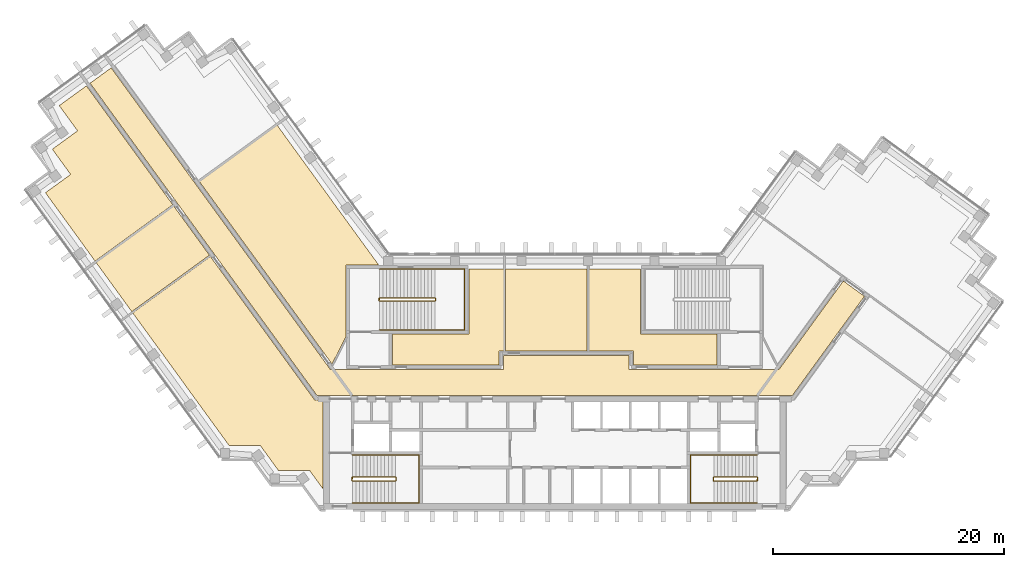
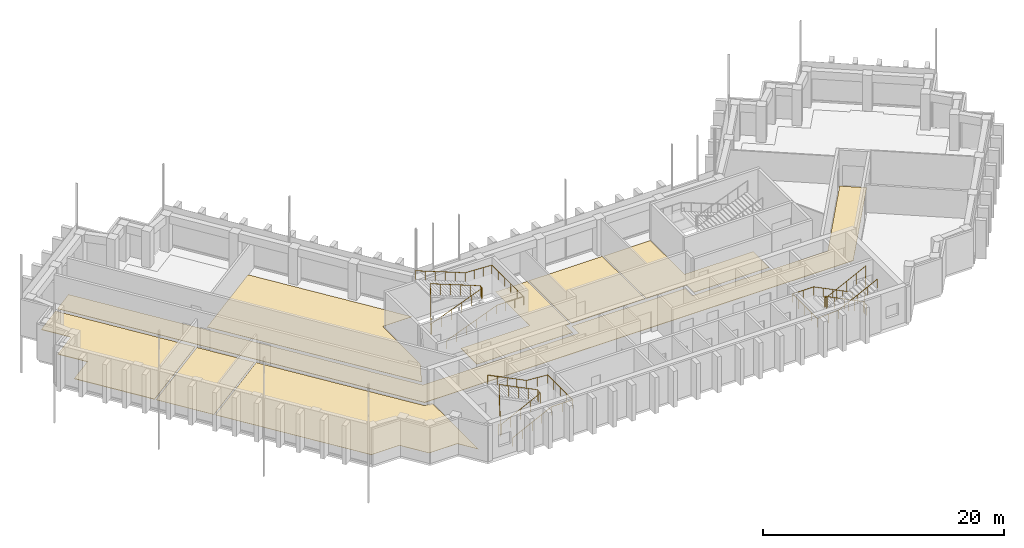
# One storey, part 11 of 12: 8 coverings, 6 railings.
"""IFC4 building model written with IfcOpenShell, lengths in metres."""

from ifc_helpers import new_model, si_unit, direction, frame, origin, origin_2d, place, context, subcontext, project, spatial, polyline, circle, outline, extrude, material, layer, layer_set, type_object, element, save


model = new_model("IFC4")

# Units and contexts
model_context = context("Model", 3, precision=1e-05, world=origin(), true_north=direction((0.0, 1.0)))
body_context = subcontext(model_context, "Body", "Model", "MODEL_VIEW")
ifc_project = project(units=[si_unit("LENGTHUNIT", "METRE"), si_unit("AREAUNIT", "SQUARE_METRE"), si_unit("VOLUMEUNIT", "CUBIC_METRE"), si_unit("PLANEANGLEUNIT", "RADIAN"), si_unit("MASSUNIT", "GRAM", prefix="KILO")], contexts=[model_context])

# Site, building, storey
site_placement = place(None, origin())
site = spatial("IfcSite", under=ifc_project, at=site_placement, CompositionType="ELEMENT")
building_placement = place(site_placement, origin())
building = spatial("IfcBuilding", under=site, at=building_placement, Name="Quipu Civic Tower", CompositionType="ELEMENT")
storey_placement = place(building_placement, frame((0.0, 0.0, 234.0)))
storey = spatial("IfcBuildingStorey", under=building, at=storey_placement, Name="L55", CompositionType="ELEMENT", Elevation=234.0)

# Coverings
ifc_material_1 = material(Name="Carpet tile on raised access floor")
ifc_layer_1 = layer(ifc_material_1, 0.02001953125)
ifc_layer_set_1 = layer_set([ifc_layer_1], Name="Carpet tile on raised access floor")
covering_type_1 = type_object("IfcCoveringType", Name="Carpet tile floor finish 20", PredefinedType="FLOORING", material=ifc_layer_set_1)
covering_1_placement = place(storey_placement, origin())
element("IfcCovering", 1, at=covering_1_placement, inside=storey, type_object=covering_type_1, Name="Carpet tile floor finish 20", PredefinedType="FLOORING", context=body_context, shape_type="SweptSolid", body=[
    extrude(outline(polyline([(-36.52001953125, 6.013916015625), (-29.7958984375, 10.89794921875), (-20.77490234375, -1.51904296875), (-20.070068359375, -1.52001953125), (-20.070068359375, -9.195068359375), (-21.196044921875, -7.64599609375), (-23.89501953125, -7.64599609375), (-25.48193359375, -5.4619140625), (-28.181884765625, -5.4609375), (-36.52001953125, 6.013916015625)])), origin(), (0.0, 0.0, 1.0), 0.02001953125),
])
covering_2_placement = place(storey_placement, origin())
element("IfcCovering", 2, at=covering_2_placement, inside=storey, type_object=covering_type_1, Name="Carpet tile floor finish 20", PredefinedType="FLOORING", context=body_context, shape_type="SweptSolid", body=[
    extrude(outline(polyline([(-14.030029296875, 1.52001953125), (-14.030029296875, 4.179931640625), (-7.430908203125, 4.179931640625), (-7.429931640625, 9.830078125), (-4.388916015625, 9.830078125), (-4.388916015625, 2.719970703125), (-4.820068359375, 2.718994140625), (-4.820068359375, 1.52001953125), (-14.030029296875, 1.52001953125)])), origin(), (0.0, 0.0, 1.0), 0.02001953125),
])
covering_3_placement = place(storey_placement, origin())
element("IfcCovering", 3, at=covering_3_placement, inside=storey, type_object=covering_type_1, Name="Carpet tile floor finish 20", PredefinedType="FLOORING", context=body_context, shape_type="SweptSolid", body=[
    extrude(outline(polyline([(2.948974609375, 2.719970703125), (2.948974609375, 9.830078125), (7.429931640625, 9.830078125), (7.430908203125, 4.179931640625), (14.030029296875, 4.179931640625), (14.030029296875, 1.52001953125), (6.820068359375, 1.52001953125), (6.819091796875, 2.719970703125), (2.948974609375, 2.719970703125)])), origin(), (0.0, 0.0, 1.0), 0.02001953125),
])
covering_4_placement = place(storey_placement, origin())
element("IfcCovering", 4, at=covering_4_placement, inside=storey, type_object=covering_type_1, Name="Carpet tile floor finish 20", PredefinedType="FLOORING", context=body_context, shape_type="SweptSolid", body=[
    extrude(outline(polyline([(-30.751953125, 17.385986328125), (-24.029052734375, 22.26904296875), (-15.238037109375, 10.169921875), (-18.070068359375, 10.1689453125), (-18.070068359375, 3.94189453125), (-19.27197265625, 1.583984375), (-30.751953125, 17.385986328125)])), origin(), (0.0, 0.0, 1.0), 0.02001953125),
])
covering_5_placement = place(storey_placement, origin())
element("IfcCovering", 5, at=covering_5_placement, inside=storey, type_object=covering_type_1, Name="Carpet tile floor finish 20", PredefinedType="FLOORING", context=body_context, shape_type="SweptSolid", body=[
    extrude(outline(polyline([(-39.694091796875, 10.383056640625), (-32.969970703125, 15.26708984375), (-29.87890625, 11.010986328125), (-36.60302734375, 6.126953125), (-39.694091796875, 10.383056640625)])), origin(), (0.0, 0.0, 1.0), 0.02001953125),
])
ifc_material_2 = material(Name="Ceramic floor tile")
ifc_layer_2 = layer(ifc_material_2, 0.030029296875)
ifc_layer_set_2 = layer_set([ifc_layer_2], Name="Ceramic floor tile")
covering_type_2 = type_object("IfcCoveringType", Name="Ceramic tile floor finish 30", PredefinedType="FLOORING", material=ifc_layer_set_2)
covering_6_placement = place(storey_placement, origin())
element("IfcCovering", 6, at=covering_6_placement, inside=storey, type_object=covering_type_2, Name="Ceramic tile floor finish 30", PredefinedType="FLOORING", context=body_context, shape_type="SweptSolid", body=[
    extrude(outline(polyline([(-4.2490234375, 2.719970703125), (-4.2490234375, 9.830078125), (2.80908203125, 9.830078125), (2.80908203125, 2.719970703125), (-4.2490234375, 2.719970703125)])), origin(), (0.0, 0.0, 1.0), 0.030029296875),
])
ifc_material_3 = material(Name="Sealed cement screed")
ifc_layer_3 = layer(ifc_material_3, 0.050048828125)
ifc_layer_set_3 = layer_set([ifc_layer_3], Name="Sealed cement screed")
covering_type_3 = type_object("IfcCoveringType", Name="Sealed screed floor finish 50", PredefinedType="FLOORING", material=ifc_layer_set_3)
covering_7_placement = place(storey_placement, origin())
element("IfcCovering", 7, at=covering_7_placement, inside=storey, type_object=covering_type_3, Name="Sealed screed floor finish 50", PredefinedType="FLOORING", context=body_context, shape_type="SweptSolid", body=[
    extrude(outline(polyline([(-44.074951171875, 16.4140625), (-41.89208984375, 17.9990234375), (-43.47802734375, 20.18505859375), (-41.294921875, 21.77197265625), (-42.881103515625, 23.9560546875), (-40.52587890625, 25.666015625), (-33.052978515625, 15.3798828125), (-39.777099609375, 10.49609375), (-44.074951171875, 16.4140625)])), origin(), (0.0, 0.0, 1.0), 0.050048828125),
])

# Railings
ifc_material_4 = material(Name="Stainless steel", Category="steel")
railing_type_1 = type_object("IfcRailingType", Name="Stair guard 1100", PredefinedType="GUARDRAIL", material=ifc_material_4)
railing_1_placement = place(storey_placement, frame((-17.5, -8.550048828125, 0.15380859375)))
element("IfcRailing", 8, at=railing_1_placement, inside=storey, type_object=railing_type_1, Name="Stair 1 guard", PredefinedType="GUARDRAIL", context=body_context, shape_type="SweptSolid", body=[
    extrude(circle(Radius=0.02392578125, at=origin_2d()), frame((0.0, 0.0, 1.076171875), z_axis=(0.895751851347, 0.0, 0.444554407028), x_axis=(0.0, 1.0, 0.0)), (0.0, 0.0, 1.0), 4.15283203125),
    extrude(circle(Radius=0.02392578125, at=origin_2d()), frame((3.719970703125, 0.0, 2.92236328125), z_axis=(0.707106781187, 0.707106781187, 0.0), x_axis=(-0.707106781187, 0.707106781187, 0.0)), (0.0, 0.0, 1.0), 0.07080078125),
    extrude(circle(Radius=0.02392578125, at=origin_2d()), frame((3.77001953125, 0.050048828125, 2.92236328125), z_axis=(0.0, 1.0, 0.0), x_axis=(-1.0, 0.0, 0.0)), (0.0, 0.0, 1.0), 0.25),
    extrude(circle(Radius=0.02392578125, at=origin_2d()), frame((3.77001953125, 0.300048828125, 2.92236328125), z_axis=(-0.295599637079, 0.295599637079, 0.908428152975), x_axis=(-0.707106781187, -0.707106781187, 0.0)), (0.0, 0.0, 1.0), 0.16943359375),
    extrude(circle(Radius=0.02392578125, at=origin_2d()), frame((3.719970703125, 0.35009765625, 3.076171875), z_axis=(-0.895751851347, 0.0, 0.444554407028), x_axis=(0.0, -1.0, 0.0)), (0.0, 0.0, 1.0), 4.15283203125),
    extrude(circle(Radius=0.02392578125, at=origin_2d()), frame((0.0, 0.35009765625, 4.92236328125), z_axis=(-0.012476181752, -0.074796231092, -0.997120789425), x_axis=(0.986372223864, -0.164529134168, 0.0)), (0.0, 0.0, 1.0), 4.011474609375),
    extrude(circle(Radius=0.02392578125, at=origin_2d()), frame((-0.050048828125, 0.050048828125, 0.92236328125), z_axis=(0.0, 1.0, 0.0), x_axis=(-1.0, 0.0, 0.0)), (0.0, 0.0, 1.0), 0.25),
    extrude(circle(Radius=0.02099609375, at=origin_2d()), origin(), (0.0, 0.0, 1.0), 1.052001953125),
    extrude(circle(Radius=0.02099609375, at=origin_2d()), frame((0.929931640625, 0.0, 0.46142578125)), (0.0, 0.0, 1.0), 1.052001953125),
    extrude(circle(Radius=0.02099609375, at=origin_2d()), frame((1.85986328125, 0.0, 0.923095703125)), (0.0, 0.0, 1.0), 1.052001953125),
    extrude(circle(Radius=0.02099609375, at=origin_2d()), frame((2.7900390625, 0.0, 1.384765625)), (0.0, 0.0, 1.0), 1.052001953125),
    extrude(circle(Radius=0.02099609375, at=origin_2d()), frame((3.719970703125, 0.0, 1.84619140625)), (0.0, 0.0, 1.0), 1.052001953125),
    extrude(circle(Radius=0.02099609375, at=origin_2d()), frame((3.77001953125, 0.050048828125, 1.84619140625)), (0.0, 0.0, 1.0), 1.052001953125),
    extrude(circle(Radius=0.02099609375, at=origin_2d()), frame((3.77001953125, 0.300048828125, 1.84619140625)), (0.0, 0.0, 1.0), 1.052001953125),
    extrude(circle(Radius=0.02099609375, at=origin_2d()), frame((3.719970703125, 0.35009765625, 2.0)), (0.0, 0.0, 1.0), 1.052001953125),
    extrude(circle(Radius=0.02099609375, at=origin_2d()), frame((2.7900390625, 0.35009765625, 2.46142578125)), (0.0, 0.0, 1.0), 1.052001953125),
    extrude(circle(Radius=0.02099609375, at=origin_2d()), frame((1.85986328125, 0.35009765625, 2.923095703125)), (0.0, 0.0, 1.0), 1.052001953125),
    extrude(circle(Radius=0.02099609375, at=origin_2d()), frame((0.929931640625, 0.35009765625, 3.384765625)), (0.0, 0.0, 1.0), 1.052001953125),
    extrude(circle(Radius=0.02099609375, at=origin_2d()), frame((0.0, 0.35009765625, 3.84619140625)), (0.0, 0.0, 1.0), 1.052001953125),
    extrude(circle(Radius=0.02099609375, at=origin_2d()), frame((-0.012451171875, 0.275146484375, 2.84619140625)), (0.0, 0.0, 1.0), 1.052001953125),
    extrude(circle(Radius=0.02099609375, at=origin_2d()), frame((-0.02490234375, 0.2001953125, 1.84619140625)), (0.0, 0.0, 1.0), 1.052001953125),
    extrude(circle(Radius=0.02099609375, at=origin_2d()), frame((-0.03759765625, 0.125, 0.84619140625)), (0.0, 0.0, 1.0), 1.052001953125),
    extrude(circle(Radius=0.02099609375, at=origin_2d()), frame((-0.050048828125, 0.050048828125, -0.15380859375)), (0.0, 0.0, 1.0), 1.052001953125),
    extrude(circle(Radius=0.02099609375, at=origin_2d()), frame((-0.050048828125, 0.300048828125, -0.15380859375)), (0.0, 0.0, 1.0), 1.052001953125),
])
railing_2_placement = place(storey_placement, frame((17.5, -8.199951171875, 0.15380859375)))
element("IfcRailing", 9, at=railing_2_placement, inside=storey, type_object=railing_type_1, Name="Stair 2 guard", PredefinedType="GUARDRAIL", context=body_context, shape_type="SweptSolid", body=[
    extrude(circle(Radius=0.02392578125, at=origin_2d()), frame((0.0, 0.0, 1.076171875), z_axis=(-0.895751851347, 0.0, 0.444554407028), x_axis=(0.0, -1.0, 0.0)), (0.0, 0.0, 1.0), 4.15283203125),
    extrude(circle(Radius=0.02392578125, at=origin_2d()), frame((-3.719970703125, 0.0, 2.92236328125), z_axis=(-0.707106781187, -0.707106781187, 0.0), x_axis=(0.707106781187, -0.707106781187, 0.0)), (0.0, 0.0, 1.0), 0.07080078125),
    extrude(circle(Radius=0.02392578125, at=origin_2d()), frame((-3.77001953125, -0.050048828125, 2.92236328125), z_axis=(0.0, -1.0, 0.0), x_axis=(1.0, 0.0, 0.0)), (0.0, 0.0, 1.0), 0.25),
    extrude(circle(Radius=0.02392578125, at=origin_2d()), frame((-3.77001953125, -0.300048828125, 2.92236328125), z_axis=(0.295599637079, -0.295599637079, 0.908428152975), x_axis=(0.707106781187, 0.707106781187, 0.0)), (0.0, 0.0, 1.0), 0.16943359375),
    extrude(circle(Radius=0.02392578125, at=origin_2d()), frame((-3.719970703125, -0.35009765625, 3.076171875), z_axis=(0.895751851347, 0.0, 0.444554407028), x_axis=(0.0, 1.0, 0.0)), (0.0, 0.0, 1.0), 4.15283203125),
    extrude(circle(Radius=0.02392578125, at=origin_2d()), frame((0.0, -0.35009765625, 4.92236328125), z_axis=(0.012476181752, 0.074796231092, -0.997120789425), x_axis=(-0.986372223864, 0.164529134168, 0.0)), (0.0, 0.0, 1.0), 4.011474609375),
    extrude(circle(Radius=0.02392578125, at=origin_2d()), frame((0.050048828125, -0.050048828125, 0.92236328125), z_axis=(0.0, -1.0, 0.0), x_axis=(1.0, 0.0, 0.0)), (0.0, 0.0, 1.0), 0.25),
    extrude(circle(Radius=0.02099609375, at=origin_2d()), origin(), (0.0, 0.0, 1.0), 1.052001953125),
    extrude(circle(Radius=0.02099609375, at=origin_2d()), frame((-0.929931640625, 0.0, 0.46142578125)), (0.0, 0.0, 1.0), 1.052001953125),
    extrude(circle(Radius=0.02099609375, at=origin_2d()), frame((-1.85986328125, 0.0, 0.923095703125)), (0.0, 0.0, 1.0), 1.052001953125),
    extrude(circle(Radius=0.02099609375, at=origin_2d()), frame((-2.7900390625, 0.0, 1.384765625)), (0.0, 0.0, 1.0), 1.052001953125),
    extrude(circle(Radius=0.02099609375, at=origin_2d()), frame((-3.719970703125, 0.0, 1.84619140625)), (0.0, 0.0, 1.0), 1.052001953125),
    extrude(circle(Radius=0.02099609375, at=origin_2d()), frame((-3.77001953125, -0.050048828125, 1.84619140625)), (0.0, 0.0, 1.0), 1.052001953125),
    extrude(circle(Radius=0.02099609375, at=origin_2d()), frame((-3.77001953125, -0.300048828125, 1.84619140625)), (0.0, 0.0, 1.0), 1.052001953125),
    extrude(circle(Radius=0.02099609375, at=origin_2d()), frame((-3.719970703125, -0.35009765625, 2.0)), (0.0, 0.0, 1.0), 1.052001953125),
    extrude(circle(Radius=0.02099609375, at=origin_2d()), frame((-2.7900390625, -0.35009765625, 2.46142578125)), (0.0, 0.0, 1.0), 1.052001953125),
    extrude(circle(Radius=0.02099609375, at=origin_2d()), frame((-1.85986328125, -0.35009765625, 2.923095703125)), (0.0, 0.0, 1.0), 1.052001953125),
    extrude(circle(Radius=0.02099609375, at=origin_2d()), frame((-0.929931640625, -0.35009765625, 3.384765625)), (0.0, 0.0, 1.0), 1.052001953125),
    extrude(circle(Radius=0.02099609375, at=origin_2d()), frame((0.0, -0.35009765625, 3.84619140625)), (0.0, 0.0, 1.0), 1.052001953125),
    extrude(circle(Radius=0.02099609375, at=origin_2d()), frame((0.012451171875, -0.275146484375, 2.84619140625)), (0.0, 0.0, 1.0), 1.052001953125),
    extrude(circle(Radius=0.02099609375, at=origin_2d()), frame((0.02490234375, -0.2001953125, 1.84619140625)), (0.0, 0.0, 1.0), 1.052001953125),
    extrude(circle(Radius=0.02099609375, at=origin_2d()), frame((0.03759765625, -0.125, 0.84619140625)), (0.0, 0.0, 1.0), 1.052001953125),
    extrude(circle(Radius=0.02099609375, at=origin_2d()), frame((0.050048828125, -0.050048828125, -0.15380859375)), (0.0, 0.0, 1.0), 1.052001953125),
    extrude(circle(Radius=0.02099609375, at=origin_2d()), frame((0.050048828125, -0.300048828125, -0.15380859375)), (0.0, 0.0, 1.0), 1.052001953125),
])
railing_3_placement = place(storey_placement, frame((-15.14990234375, 7.050048828125, 0.11767578125)))
element("IfcRailing", 10, at=railing_3_placement, inside=storey, type_object=railing_type_1, Name="Stair 3 guard", PredefinedType="GUARDRAIL", context=body_context, shape_type="SweptSolid", body=[
    extrude(circle(Radius=0.02392578125, at=origin_2d()), frame((0.0, 0.0, 1.076171875), z_axis=(0.930970042603, 0.0, 0.365095576219), x_axis=(0.0, 1.0, 0.0)), (0.0, 0.0, 1.0), 5.15576171875),
    extrude(circle(Radius=0.02392578125, at=origin_2d()), frame((4.7998046875, 0.0, 2.95849609375), z_axis=(0.707106781187, 0.707106781187, 0.0), x_axis=(-0.707106781187, 0.707106781187, 0.0)), (0.0, 0.0, 1.0), 0.07080078125),
    extrude(circle(Radius=0.02392578125, at=origin_2d()), frame((4.849853515625, 0.050048828125, 2.95849609375), z_axis=(0.0, 1.0, 0.0), x_axis=(-1.0, 0.0, 0.0)), (0.0, 0.0, 1.0), 0.14990234375),
    extrude(circle(Radius=0.02392578125, at=origin_2d()), frame((4.849853515625, 0.199951171875, 2.95849609375), z_axis=(-0.364463019033, 0.364463019033, 0.856932561824), x_axis=(-0.707106781187, -0.707106781187, 0.0)), (0.0, 0.0, 1.0), 0.13720703125),
    extrude(circle(Radius=0.02392578125, at=origin_2d()), frame((4.7998046875, 0.25, 3.076171875), z_axis=(-0.930970042603, 0.0, 0.365095576219), x_axis=(0.0, -1.0, 0.0)), (0.0, 0.0, 1.0), 5.15576171875),
    extrude(circle(Radius=0.02392578125, at=origin_2d()), frame((0.0, 0.25, 4.95849609375), z_axis=(-0.012495627992, -0.049921557685, -0.998674970829), x_axis=(0.970072785993, -0.242814311512, 0.0)), (0.0, 0.0, 1.0), 4.00537109375),
    extrude(circle(Radius=0.02392578125, at=origin_2d()), frame((-0.050048828125, 0.050048828125, 0.95849609375), z_axis=(0.0, 1.0, 0.0), x_axis=(-1.0, 0.0, 0.0)), (0.0, 0.0, 1.0), 0.14990234375),
    extrude(circle(Radius=0.02099609375, at=origin_2d()), origin(), (0.0, 0.0, 1.0), 1.052001953125),
    extrude(circle(Radius=0.02099609375, at=origin_2d()), frame((0.9599609375, 0.0, 0.37646484375)), (0.0, 0.0, 1.0), 1.052001953125),
    extrude(circle(Radius=0.02099609375, at=origin_2d()), frame((1.919921875, 0.0, 0.7529296875)), (0.0, 0.0, 1.0), 1.052001953125),
    extrude(circle(Radius=0.02099609375, at=origin_2d()), frame((2.8798828125, 0.0, 1.12939453125)), (0.0, 0.0, 1.0), 1.052001953125),
    extrude(circle(Radius=0.02099609375, at=origin_2d()), frame((3.83984375, 0.0, 1.505859375)), (0.0, 0.0, 1.0), 1.052001953125),
    extrude(circle(Radius=0.02099609375, at=origin_2d()), frame((4.7998046875, 0.0, 1.88232421875)), (0.0, 0.0, 1.0), 1.052001953125),
    extrude(circle(Radius=0.02099609375, at=origin_2d()), frame((4.849853515625, 0.050048828125, 1.88232421875)), (0.0, 0.0, 1.0), 1.052001953125),
    extrude(circle(Radius=0.02099609375, at=origin_2d()), frame((4.849853515625, 0.199951171875, 1.88232421875)), (0.0, 0.0, 1.0), 1.052001953125),
    extrude(circle(Radius=0.02099609375, at=origin_2d()), frame((4.7998046875, 0.25, 2.0)), (0.0, 0.0, 1.0), 1.052001953125),
    extrude(circle(Radius=0.02099609375, at=origin_2d()), frame((3.83984375, 0.25, 2.37646484375)), (0.0, 0.0, 1.0), 1.052001953125),
    extrude(circle(Radius=0.02099609375, at=origin_2d()), frame((2.8798828125, 0.25, 2.7529296875)), (0.0, 0.0, 1.0), 1.052001953125),
    extrude(circle(Radius=0.02099609375, at=origin_2d()), frame((1.919921875, 0.25, 3.12939453125)), (0.0, 0.0, 1.0), 1.052001953125),
    extrude(circle(Radius=0.02099609375, at=origin_2d()), frame((0.9599609375, 0.25, 3.505859375)), (0.0, 0.0, 1.0), 1.052001953125),
    extrude(circle(Radius=0.02099609375, at=origin_2d()), frame((0.0, 0.25, 3.88232421875)), (0.0, 0.0, 1.0), 1.052001953125),
    extrude(circle(Radius=0.02099609375, at=origin_2d()), frame((-0.012451171875, 0.199951171875, 2.88232421875)), (0.0, 0.0, 1.0), 1.052001953125),
    extrude(circle(Radius=0.02099609375, at=origin_2d()), frame((-0.02490234375, 0.14990234375, 1.88232421875)), (0.0, 0.0, 1.0), 1.052001953125),
    extrude(circle(Radius=0.02099609375, at=origin_2d()), frame((-0.03759765625, 0.10009765625, 0.88232421875)), (0.0, 0.0, 1.0), 1.052001953125),
    extrude(circle(Radius=0.02099609375, at=origin_2d()), frame((-0.050048828125, 0.050048828125, -0.11767578125)), (0.0, 0.0, 1.0), 1.052001953125),
    extrude(circle(Radius=0.02099609375, at=origin_2d()), frame((-0.050048828125, 0.199951171875, -0.11767578125)), (0.0, 0.0, 1.0), 1.052001953125),
])
ifc_material_5 = material(Name="Stainless steel", Category="steel")
railing_type_2 = type_object("IfcRailingType", Name="Stair handrail", PredefinedType="HANDRAIL", material=ifc_material_5)
railing_4_placement = place(storey_placement, frame((-17.5, -10.449951171875, 0.15380859375)))
element("IfcRailing", 11, at=railing_4_placement, inside=storey, type_object=railing_type_2, Name="Stair 1 handrail", PredefinedType="HANDRAIL", context=body_context, shape_type="SweptSolid", body=[
    extrude(circle(Radius=0.02392578125, at=origin_2d()), frame((0.0, 0.0, 0.8759765625), z_axis=(0.895751851347, 0.0, 0.444554407028), x_axis=(0.0, 1.0, 0.0)), (0.0, 0.0, 1.0), 4.15283203125),
    extrude(circle(Radius=0.02392578125, at=origin_2d()), frame((3.719970703125, 0.0, 2.72216796875), z_axis=(1.0, 0.0, 0.0), x_axis=(0.0, 1.0, 0.0)), (0.0, 0.0, 1.0), 2.030029296875),
    extrude(circle(Radius=0.02392578125, at=origin_2d()), frame((5.75, 0.0, 2.72216796875), z_axis=(0.0, 1.0, 0.0), x_axis=(-1.0, 0.0, 0.0)), (0.0, 0.0, 1.0), 4.14990234375),
    extrude(circle(Radius=0.02392578125, at=origin_2d()), frame((5.75, 4.14990234375, 2.72216796875), z_axis=(-0.997142003663, 0.0, 0.075550145798), x_axis=(0.0, -1.0, 0.0)), (0.0, 0.0, 1.0), 2.035888671875),
    extrude(circle(Radius=0.02392578125, at=origin_2d()), frame((3.719970703125, 4.14990234375, 2.8759765625), z_axis=(-0.895751851347, 0.0, 0.444554407028), x_axis=(0.0, -1.0, 0.0)), (0.0, 0.0, 1.0), 4.15283203125),
    extrude(circle(Radius=0.02099609375, at=origin_2d()), origin(), (0.0, 0.0, 1.0), 0.851806640625),
    extrude(circle(Radius=0.02099609375, at=origin_2d()), frame((0.929931640625, 0.0, 0.46142578125)), (0.0, 0.0, 1.0), 0.851806640625),
    extrude(circle(Radius=0.02099609375, at=origin_2d()), frame((1.85986328125, 0.0, 0.923095703125)), (0.0, 0.0, 1.0), 0.851806640625),
    extrude(circle(Radius=0.02099609375, at=origin_2d()), frame((2.7900390625, 0.0, 1.384765625)), (0.0, 0.0, 1.0), 0.851806640625),
    extrude(circle(Radius=0.02099609375, at=origin_2d()), frame((3.719970703125, 0.0, 1.84619140625)), (0.0, 0.0, 1.0), 0.851806640625),
    extrude(circle(Radius=0.02099609375, at=origin_2d()), frame((4.73486328125, 0.0, 1.84619140625)), (0.0, 0.0, 1.0), 0.851806640625),
    extrude(circle(Radius=0.02099609375, at=origin_2d()), frame((5.75, 0.0, 1.84619140625)), (0.0, 0.0, 1.0), 0.851806640625),
    extrude(circle(Radius=0.02099609375, at=origin_2d()), frame((5.75, 1.03759765625, 1.84619140625)), (0.0, 0.0, 1.0), 0.851806640625),
    extrude(circle(Radius=0.02099609375, at=origin_2d()), frame((5.75, 2.074951171875, 1.84619140625)), (0.0, 0.0, 1.0), 0.851806640625),
    extrude(circle(Radius=0.02099609375, at=origin_2d()), frame((5.75, 3.1123046875, 1.84619140625)), (0.0, 0.0, 1.0), 0.851806640625),
    extrude(circle(Radius=0.02099609375, at=origin_2d()), frame((5.75, 4.14990234375, 1.84619140625)), (0.0, 0.0, 1.0), 0.851806640625),
    extrude(circle(Radius=0.02099609375, at=origin_2d()), frame((4.73486328125, 4.14990234375, 1.923095703125)), (0.0, 0.0, 1.0), 0.851806640625),
    extrude(circle(Radius=0.02099609375, at=origin_2d()), frame((3.719970703125, 4.14990234375, 2.0)), (0.0, 0.0, 1.0), 0.851806640625),
    extrude(circle(Radius=0.02099609375, at=origin_2d()), frame((2.7900390625, 4.14990234375, 2.46142578125)), (0.0, 0.0, 1.0), 0.851806640625),
    extrude(circle(Radius=0.02099609375, at=origin_2d()), frame((1.85986328125, 4.14990234375, 2.923095703125)), (0.0, 0.0, 1.0), 0.851806640625),
    extrude(circle(Radius=0.02099609375, at=origin_2d()), frame((0.929931640625, 4.14990234375, 3.384765625)), (0.0, 0.0, 1.0), 0.851806640625),
    extrude(circle(Radius=0.02099609375, at=origin_2d()), frame((0.0, 4.14990234375, 3.84619140625)), (0.0, 0.0, 1.0), 0.851806640625),
])
railing_5_placement = place(storey_placement, frame((17.5, -6.300048828125, 0.15380859375)))
element("IfcRailing", 12, at=railing_5_placement, inside=storey, type_object=railing_type_2, Name="Stair 2 handrail", PredefinedType="HANDRAIL", context=body_context, shape_type="SweptSolid", body=[
    extrude(circle(Radius=0.02392578125, at=origin_2d()), frame((0.0, 0.0, 0.8759765625), z_axis=(-0.895751851347, 0.0, 0.444554407028), x_axis=(0.0, -1.0, 0.0)), (0.0, 0.0, 1.0), 4.15283203125),
    extrude(circle(Radius=0.02392578125, at=origin_2d()), frame((-3.719970703125, 0.0, 2.72216796875), z_axis=(-1.0, 0.0, 0.0), x_axis=(0.0, -1.0, 0.0)), (0.0, 0.0, 1.0), 2.030029296875),
    extrude(circle(Radius=0.02392578125, at=origin_2d()), frame((-5.75, 0.0, 2.72216796875), z_axis=(0.0, -1.0, 0.0), x_axis=(1.0, 0.0, 0.0)), (0.0, 0.0, 1.0), 4.14990234375),
    extrude(circle(Radius=0.02392578125, at=origin_2d()), frame((-5.75, -4.14990234375, 2.72216796875), z_axis=(0.997142003663, 0.0, 0.075550145798), x_axis=(0.0, 1.0, 0.0)), (0.0, 0.0, 1.0), 2.035888671875),
    extrude(circle(Radius=0.02392578125, at=origin_2d()), frame((-3.719970703125, -4.14990234375, 2.8759765625), z_axis=(0.895751851347, 0.0, 0.444554407028), x_axis=(0.0, 1.0, 0.0)), (0.0, 0.0, 1.0), 4.15283203125),
    extrude(circle(Radius=0.02099609375, at=origin_2d()), origin(), (0.0, 0.0, 1.0), 0.851806640625),
    extrude(circle(Radius=0.02099609375, at=origin_2d()), frame((-0.929931640625, 0.0, 0.46142578125)), (0.0, 0.0, 1.0), 0.851806640625),
    extrude(circle(Radius=0.02099609375, at=origin_2d()), frame((-1.85986328125, 0.0, 0.923095703125)), (0.0, 0.0, 1.0), 0.851806640625),
    extrude(circle(Radius=0.02099609375, at=origin_2d()), frame((-2.7900390625, 0.0, 1.384765625)), (0.0, 0.0, 1.0), 0.851806640625),
    extrude(circle(Radius=0.02099609375, at=origin_2d()), frame((-3.719970703125, 0.0, 1.84619140625)), (0.0, 0.0, 1.0), 0.851806640625),
    extrude(circle(Radius=0.02099609375, at=origin_2d()), frame((-4.73486328125, 0.0, 1.84619140625)), (0.0, 0.0, 1.0), 0.851806640625),
    extrude(circle(Radius=0.02099609375, at=origin_2d()), frame((-5.75, 0.0, 1.84619140625)), (0.0, 0.0, 1.0), 0.851806640625),
    extrude(circle(Radius=0.02099609375, at=origin_2d()), frame((-5.75, -1.03759765625, 1.84619140625)), (0.0, 0.0, 1.0), 0.851806640625),
    extrude(circle(Radius=0.02099609375, at=origin_2d()), frame((-5.75, -2.074951171875, 1.84619140625)), (0.0, 0.0, 1.0), 0.851806640625),
    extrude(circle(Radius=0.02099609375, at=origin_2d()), frame((-5.75, -3.1123046875, 1.84619140625)), (0.0, 0.0, 1.0), 0.851806640625),
    extrude(circle(Radius=0.02099609375, at=origin_2d()), frame((-5.75, -4.14990234375, 1.84619140625)), (0.0, 0.0, 1.0), 0.851806640625),
    extrude(circle(Radius=0.02099609375, at=origin_2d()), frame((-4.73486328125, -4.14990234375, 1.923095703125)), (0.0, 0.0, 1.0), 0.851806640625),
    extrude(circle(Radius=0.02099609375, at=origin_2d()), frame((-3.719970703125, -4.14990234375, 2.0)), (0.0, 0.0, 1.0), 0.851806640625),
    extrude(circle(Radius=0.02099609375, at=origin_2d()), frame((-2.7900390625, -4.14990234375, 2.46142578125)), (0.0, 0.0, 1.0), 0.851806640625),
    extrude(circle(Radius=0.02099609375, at=origin_2d()), frame((-1.85986328125, -4.14990234375, 2.923095703125)), (0.0, 0.0, 1.0), 0.851806640625),
    extrude(circle(Radius=0.02099609375, at=origin_2d()), frame((-0.929931640625, -4.14990234375, 3.384765625)), (0.0, 0.0, 1.0), 0.851806640625),
    extrude(circle(Radius=0.02099609375, at=origin_2d()), frame((0.0, -4.14990234375, 3.84619140625)), (0.0, 0.0, 1.0), 0.851806640625),
])
railing_6_placement = place(storey_placement, frame((-15.14990234375, 4.550048828125, 0.11767578125)))
element("IfcRailing", 13, at=railing_6_placement, inside=storey, type_object=railing_type_2, Name="Stair 3 handrail", PredefinedType="HANDRAIL", context=body_context, shape_type="SweptSolid", body=[
    extrude(circle(Radius=0.02392578125, at=origin_2d()), frame((0.0, 0.0, 0.8759765625), z_axis=(0.930970042603, 0.0, 0.365095576219), x_axis=(0.0, 1.0, 0.0)), (0.0, 0.0, 1.0), 5.15576171875),
    extrude(circle(Radius=0.02392578125, at=origin_2d()), frame((4.7998046875, 0.0, 2.75830078125), z_axis=(1.0, 0.0, 0.0), x_axis=(0.0, 1.0, 0.0)), (0.0, 0.0, 1.0), 2.550048828125),
    extrude(circle(Radius=0.02392578125, at=origin_2d()), frame((7.349853515625, 0.0, 2.75830078125), z_axis=(0.0, 1.0, 0.0), x_axis=(-1.0, 0.0, 0.0)), (0.0, 0.0, 1.0), 5.25),
    extrude(circle(Radius=0.02392578125, at=origin_2d()), frame((7.349853515625, 5.25, 2.75830078125), z_axis=(-0.998936948642, 0.0, 0.04609742549), x_axis=(0.0, -1.0, 0.0)), (0.0, 0.0, 1.0), 2.552734375),
    extrude(circle(Radius=0.02392578125, at=origin_2d()), frame((4.7998046875, 5.25, 2.8759765625), z_axis=(-0.930970042603, 0.0, 0.365095576219), x_axis=(0.0, -1.0, 0.0)), (0.0, 0.0, 1.0), 5.15576171875),
    extrude(circle(Radius=0.02099609375, at=origin_2d()), origin(), (0.0, 0.0, 1.0), 0.851806640625),
    extrude(circle(Radius=0.02099609375, at=origin_2d()), frame((0.9599609375, 0.0, 0.37646484375)), (0.0, 0.0, 1.0), 0.851806640625),
    extrude(circle(Radius=0.02099609375, at=origin_2d()), frame((1.919921875, 0.0, 0.7529296875)), (0.0, 0.0, 1.0), 0.851806640625),
    extrude(circle(Radius=0.02099609375, at=origin_2d()), frame((2.8798828125, 0.0, 1.12939453125)), (0.0, 0.0, 1.0), 0.851806640625),
    extrude(circle(Radius=0.02099609375, at=origin_2d()), frame((3.83984375, 0.0, 1.505859375)), (0.0, 0.0, 1.0), 0.851806640625),
    extrude(circle(Radius=0.02099609375, at=origin_2d()), frame((4.7998046875, 0.0, 1.88232421875)), (0.0, 0.0, 1.0), 0.851806640625),
    extrude(circle(Radius=0.02099609375, at=origin_2d()), frame((5.64990234375, 0.0, 1.88232421875)), (0.0, 0.0, 1.0), 0.851806640625),
    extrude(circle(Radius=0.02099609375, at=origin_2d()), frame((6.499755859375, 0.0, 1.88232421875)), (0.0, 0.0, 1.0), 0.851806640625),
    extrude(circle(Radius=0.02099609375, at=origin_2d()), frame((7.349853515625, 0.0, 1.88232421875)), (0.0, 0.0, 1.0), 0.851806640625),
    extrude(circle(Radius=0.02099609375, at=origin_2d()), frame((7.349853515625, 1.050048828125, 1.88232421875)), (0.0, 0.0, 1.0), 0.851806640625),
    extrude(circle(Radius=0.02099609375, at=origin_2d()), frame((7.349853515625, 2.10009765625, 1.88232421875)), (0.0, 0.0, 1.0), 0.851806640625),
    extrude(circle(Radius=0.02099609375, at=origin_2d()), frame((7.349853515625, 3.14990234375, 1.88232421875)), (0.0, 0.0, 1.0), 0.851806640625),
    extrude(circle(Radius=0.02099609375, at=origin_2d()), frame((7.349853515625, 4.199951171875, 1.88232421875)), (0.0, 0.0, 1.0), 0.851806640625),
    extrude(circle(Radius=0.02099609375, at=origin_2d()), frame((7.349853515625, 5.25, 1.88232421875)), (0.0, 0.0, 1.0), 0.851806640625),
    extrude(circle(Radius=0.02099609375, at=origin_2d()), frame((6.499755859375, 5.25, 1.921630859375)), (0.0, 0.0, 1.0), 0.851806640625),
    extrude(circle(Radius=0.02099609375, at=origin_2d()), frame((5.64990234375, 5.25, 1.960693359375)), (0.0, 0.0, 1.0), 0.851806640625),
    extrude(circle(Radius=0.02099609375, at=origin_2d()), frame((4.7998046875, 5.25, 2.0)), (0.0, 0.0, 1.0), 0.851806640625),
    extrude(circle(Radius=0.02099609375, at=origin_2d()), frame((3.83984375, 5.25, 2.37646484375)), (0.0, 0.0, 1.0), 0.851806640625),
    extrude(circle(Radius=0.02099609375, at=origin_2d()), frame((2.8798828125, 5.25, 2.7529296875)), (0.0, 0.0, 1.0), 0.851806640625),
    extrude(circle(Radius=0.02099609375, at=origin_2d()), frame((1.919921875, 5.25, 3.12939453125)), (0.0, 0.0, 1.0), 0.851806640625),
    extrude(circle(Radius=0.02099609375, at=origin_2d()), frame((0.9599609375, 5.25, 3.505859375)), (0.0, 0.0, 1.0), 0.851806640625),
    extrude(circle(Radius=0.02099609375, at=origin_2d()), frame((0.0, 5.25, 3.88232421875)), (0.0, 0.0, 1.0), 0.851806640625),
])

# Covering
ifc_material_6 = material(Name="Terrazzo floor finish")
ifc_layer_4 = layer(ifc_material_6, 0.0400390625)
ifc_layer_set_4 = layer_set([ifc_layer_4], Name="Terrazzo floor finish")
covering_type_4 = type_object("IfcCoveringType", Name="Terrazzo floor finish 40", PredefinedType="FLOORING", material=ifc_layer_set_4)
covering_8_placement = place(storey_placement, origin())
element("IfcCovering", 14, at=covering_8_placement, inside=storey, type_object=covering_type_4, Name="Terrazzo floor finish 40", PredefinedType="FLOORING", context=body_context, shape_type="SweptSolid", body=[
    extrude(outline(polyline([(6.429931640625, 1.1298828125), (19.425048828125, 1.1298828125), (24.98095703125, 8.778076171875), (26.80908203125, 7.450927734375), (20.574951171875, -1.1298828125), (-20.574951171875, -1.1298828125), (-40.2109375, 25.89599609375), (-38.382080078125, 27.22412109375), (-19.425048828125, 1.1298828125), (-4.429931640625, 1.1298828125), (-4.429931640625, 2.330078125), (6.429931640625, 2.330078125), (6.429931640625, 1.1298828125)])), origin(), (0.0, 0.0, 1.0), 0.0400390625),
])

save(model, "model.ifc")
